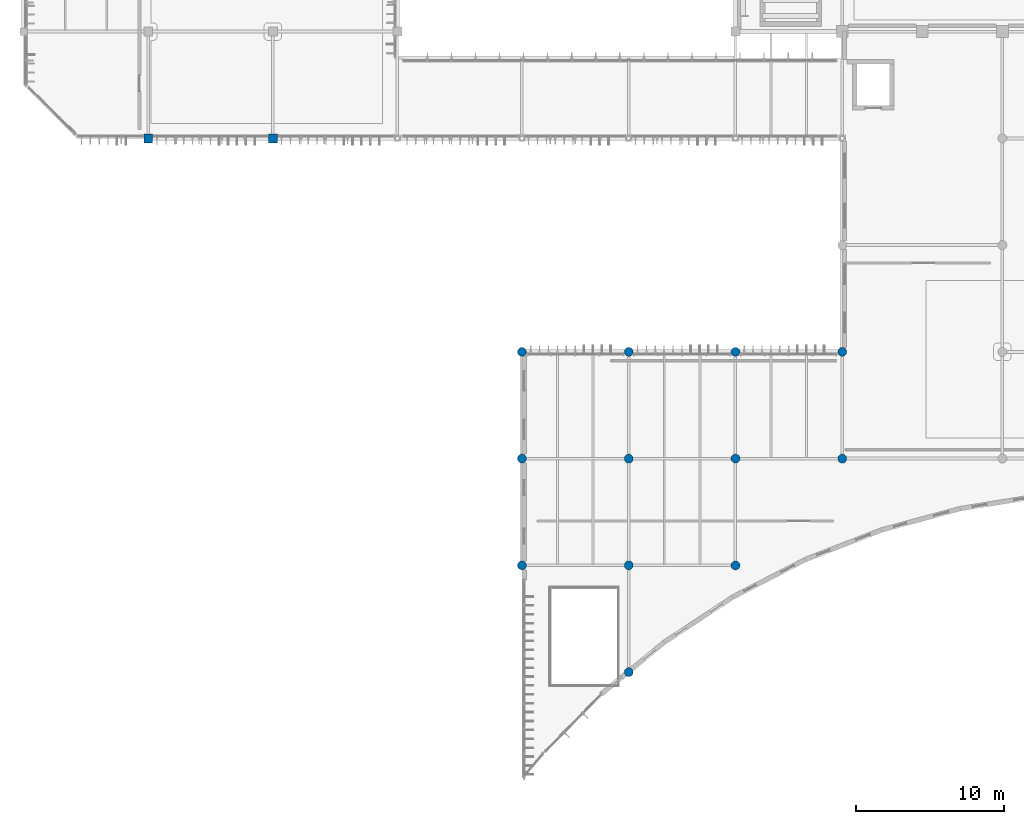
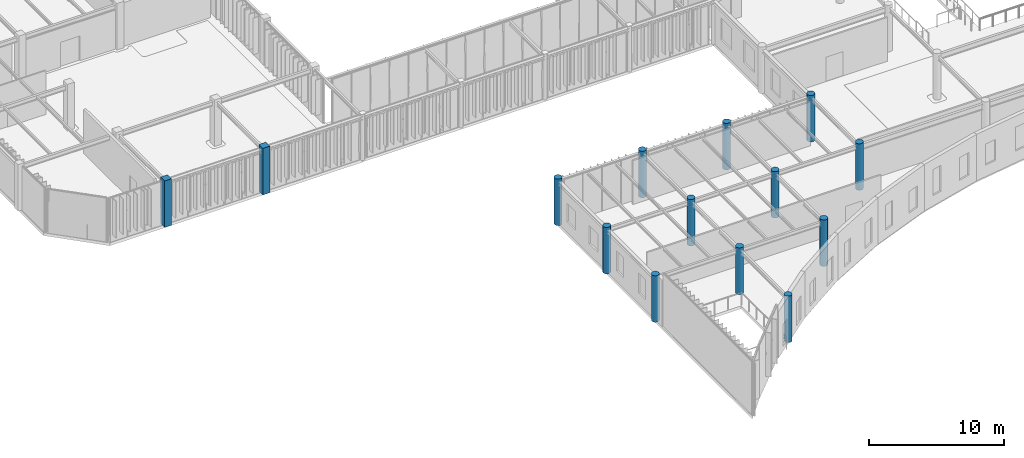
# One storey, part 1 of 104: 14 columns.
"""IFC4 building model written with IfcOpenShell, lengths in metres."""

from ifc_helpers import new_model, si_unit, direction, frame, origin, origin_2d, place, context, subcontext, project, spatial, rectangle, circle, extrude, material, material_profile, profile_set, type_object, element, save


model = new_model("IFC4")

# Units and contexts
model_context = context("Model", 3, precision=1e-05, world=origin(), true_north=direction((0.0, 1.0)))
body_context = subcontext(model_context, "Body", "Model", "MODEL_VIEW")
ifc_project = project(units=[si_unit("LENGTHUNIT", "METRE"), si_unit("AREAUNIT", "SQUARE_METRE"), si_unit("VOLUMEUNIT", "CUBIC_METRE"), si_unit("PLANEANGLEUNIT", "RADIAN"), si_unit("MASSUNIT", "GRAM", prefix="KILO")], contexts=[model_context])

# Site, building, storey
site_placement = place(None, origin())
site = spatial("IfcSite", under=ifc_project, at=site_placement, CompositionType="ELEMENT")
building_placement = place(site_placement, origin())
building = spatial("IfcBuilding", under=site, at=building_placement, Name="Tazoul Stagehouse", CompositionType="ELEMENT")
storey_placement = place(building_placement, frame((0.0, 0.0, 9.0)))
storey = spatial("IfcBuildingStorey", under=building, at=storey_placement, Name="L02", CompositionType="ELEMENT", Elevation=9.0)

# Columns
ifc_material = material(Name="Concrete C40/50", Category="concrete")
ifc_material_profile_1 = material_profile(ifc_material, circle(Radius=0.300048828125, at=origin_2d()), Name="RC D600")
ifc_profile_set_1 = profile_set([ifc_material_profile_1], Name="Concrete C40/50")
column_type_1 = type_object("IfcColumnType", Name="RC Circular Column D600", PredefinedType="COLUMN", material=ifc_profile_set_1)
for number, where, z_axis, x_axis, name in (
    (1, (43.199951171875, 15.800048828125, 0.0), (0.0, 0.0, 1.0), (1.0, 0.0, 0.0), "L02 Column C-07 at 6/C"),
    (2, (43.199951171875, 23.0, 0.0), (0.0, 0.0, 1.0), (1.0, 0.0, 0.0), "L02 Column C-07 at 6/D"),
    (3, (50.39990234375, 15.800048828125, 0.0), (0.0, 0.0, 1.0), (1.0, 0.0, 0.0), "L02 Column C-07 at 7/C"),
    (4, (50.39990234375, 23.0, 0.0), (0.0, 0.0, 1.0), (1.0, 0.0, 0.0), "L02 Column C-07 at 7/D"),
    (5, (57.60009765625, 23.0, 0.0), (0.0, 0.0, 1.0), (1.0, 0.0, 0.0), "L02 Column C-07 at 8/D"),
):
    element("IfcColumn", number, at=place(storey_placement, frame(where, z_axis=z_axis, x_axis=x_axis)), inside=storey, type_object=column_type_1, Name=name, PredefinedType="COLUMN", context=body_context, shape_type="SweptSolid", body=[
        extrude(circle(Radius=0.300048828125, at=origin_2d()), origin(), (0.0, 0.0, 1.0), 4.199951171875),
    ])
ifc_material_profile_2 = material_profile(ifc_material, circle(Radius=0.300048828125, at=origin_2d()), Name="RC D600")
ifc_profile_set_2 = profile_set([ifc_material_profile_2], Name="Concrete C40/50")
column_type_2 = type_object("IfcColumnType", Name="RC Circular Column D600 (Exterior)", PredefinedType="COLUMN", material=ifc_profile_set_2)
for number, where, z_axis, x_axis, name in (
    (6, (36.0, 15.800048828125, 0.0), (0.0, 0.0, 1.0), (1.0, 0.0, 0.0), "L02 Column C-07E at 5/C"),
    (7, (36.0, 23.0, 0.0), (0.0, 0.0, 1.0), (1.0, 0.0, 0.0), "L02 Column C-07E at 5/D"),
    (8, (36.0, 30.199951171875, 0.0), (0.0, 0.0, 1.0), (1.0, 0.0, 0.0), "L02 Column C-07E at 5/E"),
    (9, (43.199951171875, 8.60009765625, 0.0), (0.0, 0.0, 1.0), (1.0, 0.0, 0.0), "L02 Column C-07E at 6/B"),
    (10, (43.199951171875, 30.199951171875, 0.0), (0.0, 0.0, 1.0), (1.0, 0.0, 0.0), "L02 Column C-07E at 6/E"),
    (11, (50.39990234375, 30.199951171875, 0.0), (0.0, 0.0, 1.0), (1.0, 0.0, 0.0), "L02 Column C-07E at 7/E"),
    (12, (57.60009765625, 30.199951171875, 0.0), (0.0, 0.0, 1.0), (1.0, 0.0, 0.0), "L02 Column C-07E at 8/E"),
):
    element("IfcColumn", number, at=place(storey_placement, frame(where, z_axis=z_axis, x_axis=x_axis)), inside=storey, type_object=column_type_2, Name=name, PredefinedType="COLUMN", context=body_context, shape_type="SweptSolid", body=[
        extrude(circle(Radius=0.300048828125, at=origin_2d()), origin(), (0.0, 0.0, 1.0), 4.199951171875),
    ])
ifc_material_profile_3 = material_profile(ifc_material, rectangle(XDim=0.60009765625, YDim=0.60009765625, at=origin_2d()), Name="RC 600x600")
ifc_profile_set_3 = profile_set([ifc_material_profile_3], Name="Concrete C40/50")
column_type_3 = type_object("IfcColumnType", Name="RC Column 600x600 (Exterior)", PredefinedType="COLUMN", material=ifc_profile_set_3)
for number, where, z_axis, x_axis, name in (
    (13, (10.800048828125, 44.60009765625, 0.0), (0.0, 0.0, 1.0), (1.0, 0.0, 0.0), "L02 Column C-03E at 2/G"),
    (14, (19.199951171875, 44.60009765625, 0.0), (0.0, 0.0, 1.0), (1.0, 0.0, 0.0), "L02 Column C-03E at 3/G"),
):
    element("IfcColumn", number, at=place(storey_placement, frame(where, z_axis=z_axis, x_axis=x_axis)), inside=storey, type_object=column_type_3, Name=name, PredefinedType="COLUMN", context=body_context, shape_type="SweptSolid", body=[
        extrude(rectangle(XDim=0.60009765625, YDim=0.60009765625, at=origin_2d()), origin(), (0.0, 0.0, 1.0), 4.199951171875),
    ])

save(model, "model.ifc")
